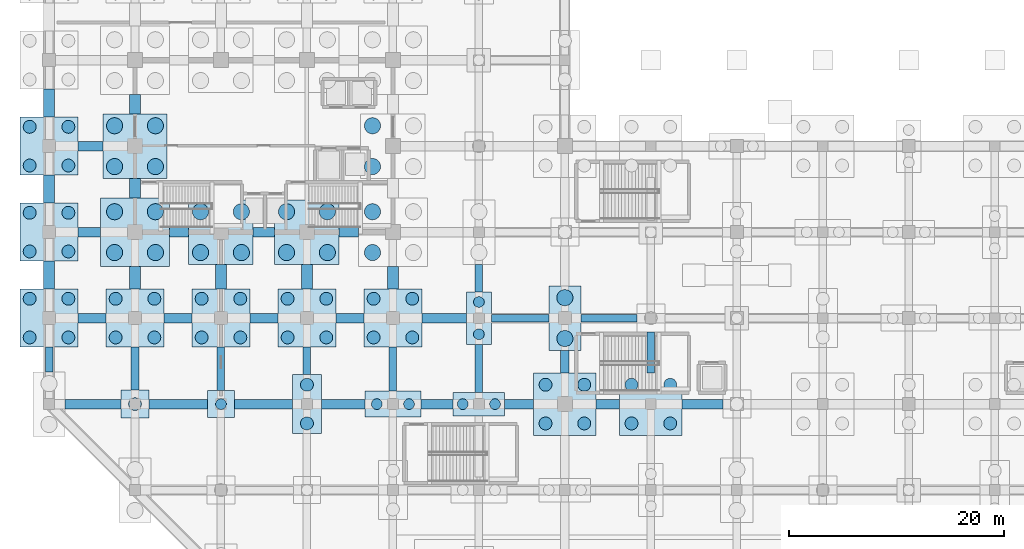
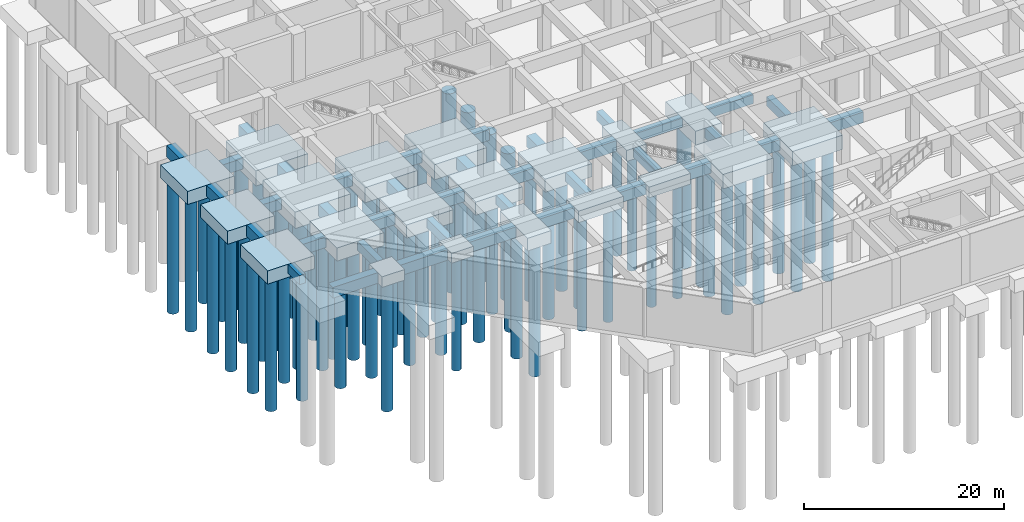
# One storey, part 2 of 26: 68 piles, 58 footings.
"""IFC4 building model written with IfcOpenShell, lengths in metres."""

from ifc_helpers import new_model, si_unit, direction, frame, origin, origin_2d, place, context, subcontext, project, spatial, rectangle, circle, extrude, material, material_profile, profile_set, type_object, element, save


model = new_model("IFC4")

# Units and contexts
model_context = context("Model", 3, precision=1e-05, world=origin(), true_north=direction((0.0, 1.0)))
body_context = subcontext(model_context, "Body", "Model", "MODEL_VIEW")
ifc_project = project(units=[si_unit("LENGTHUNIT", "METRE"), si_unit("AREAUNIT", "SQUARE_METRE"), si_unit("VOLUMEUNIT", "CUBIC_METRE"), si_unit("PLANEANGLEUNIT", "RADIAN"), si_unit("MASSUNIT", "GRAM", prefix="KILO")], contexts=[model_context])

# Site, building, storey
site_placement = place(None, origin())
site = spatial("IfcSite", under=ifc_project, at=site_placement, CompositionType="ELEMENT")
building_placement = place(site_placement, origin())
building = spatial("IfcBuilding", under=site, at=building_placement, Name="Varnela Railside Interchange", CompositionType="ELEMENT")
storey_placement = place(building_placement, frame((0.0, 0.0, -12.60009765625)))
storey = spatial("IfcBuildingStorey", under=building, at=storey_placement, Name="B2", CompositionType="ELEMENT", Elevation=-12.60009765625)

# Piles
ifc_material_1 = material(Name="Concrete C40", Category="concrete")
ifc_material_profile_1 = material_profile(ifc_material_1, circle(Radius=0.5, at=origin_2d()), Name="BORED PILE D1000")
ifc_profile_set_1 = profile_set([ifc_material_profile_1], Name="Concrete C40")
pile_type_1 = type_object("IfcPileType", Name="Bored Pile D1000 L14m", PredefinedType="BORED", material=ifc_profile_set_1)
for number, where, z_axis, x_axis, name in (
    (1, (20.0, 38.0, -2.0), (0.0, 0.0, -1.0), (1.0, 0.0, 0.0), "Bored Pile D1000 L14m"),
    (2, (34.5, 38.0, -2.199951171875), (0.0, 0.0, -1.0), (1.0, 0.0, 0.0), "Bored Pile D1000 L14m"),
    (3, (37.5, 38.0, -2.199951171875), (0.0, 0.0, -1.0), (1.0, 0.0, 0.0), "Bored Pile D1000 L14m"),
    (4, (42.5, 38.0, -2.099853515625), (0.0, 0.0, -1.0), (1.0, 0.0, 0.0), "Bored Pile D1000 L14m"),
    (5, (45.5, 38.0, -2.099853515625), (0.0, 0.0, -1.0), (1.0, 0.0, 0.0), "Bored Pile D1000 L14m"),
    (6, (44.0, 44.5, -2.14990234375), (0.0, 0.0, -1.0), (1.0, 0.0, 0.0), "Bored Pile D1000 L14m"),
    (7, (44.0, 47.5, -2.14990234375), (0.0, 0.0, -1.0), (1.0, 0.0, 0.0), "Bored Pile D1000 L14m"),
):
    element("IfcPile", number, at=place(storey_placement, frame(where, z_axis=z_axis, x_axis=x_axis)), inside=storey, type_object=pile_type_1, Name=name, PredefinedType="BORED", context=body_context, shape_type="SweptSolid", body=[
        extrude(circle(Radius=0.5, at=origin_2d()), origin(), (0.0, 0.0, 1.0), 14.0),
    ])
ifc_material_profile_2 = material_profile(ifc_material_1, circle(Radius=0.60009765625, at=origin_2d()), Name="BORED PILE D1200")
ifc_profile_set_2 = profile_set([ifc_material_profile_2], Name="Concrete C40")
pile_type_2 = type_object("IfcPileType", Name="Bored Pile D1200 L16m", PredefinedType="BORED", material=ifc_profile_set_2)
for number, where, z_axis, x_axis, name in (
    (8, (2.199951171875, 44.199951171875, -2.39990234375), (0.0, 0.0, -1.0), (1.0, 0.0, 0.0), "Bored Pile D1200 L16m"),
    (9, (5.800048828125, 44.199951171875, -2.39990234375), (0.0, 0.0, -1.0), (1.0, 0.0, 0.0), "Bored Pile D1200 L16m"),
    (10, (2.199951171875, 47.800048828125, -2.39990234375), (0.0, 0.0, -1.0), (1.0, 0.0, 0.0), "Bored Pile D1200 L16m"),
    (11, (5.800048828125, 47.800048828125, -2.39990234375), (0.0, 0.0, -1.0), (1.0, 0.0, 0.0), "Bored Pile D1200 L16m"),
    (12, (2.199951171875, 52.199951171875, -2.39990234375), (0.0, 0.0, -1.0), (1.0, 0.0, 0.0), "Bored Pile D1200 L16m"),
    (13, (5.800048828125, 52.199951171875, -2.39990234375), (0.0, 0.0, -1.0), (1.0, 0.0, 0.0), "Bored Pile D1200 L16m"),
    (14, (2.199951171875, 55.800048828125, -2.39990234375), (0.0, 0.0, -1.0), (1.0, 0.0, 0.0), "Bored Pile D1200 L16m"),
    (15, (5.800048828125, 55.800048828125, -2.39990234375), (0.0, 0.0, -1.0), (1.0, 0.0, 0.0), "Bored Pile D1200 L16m"),
    (16, (2.199951171875, 60.199951171875, -2.39990234375), (0.0, 0.0, -1.0), (1.0, 0.0, 0.0), "Bored Pile D1200 L16m"),
    (17, (5.800048828125, 60.199951171875, -2.39990234375), (0.0, 0.0, -1.0), (1.0, 0.0, 0.0), "Bored Pile D1200 L16m"),
    (18, (2.199951171875, 63.800048828125, -2.39990234375), (0.0, 0.0, -1.0), (1.0, 0.0, 0.0), "Bored Pile D1200 L16m"),
    (19, (5.800048828125, 63.800048828125, -2.39990234375), (0.0, 0.0, -1.0), (1.0, 0.0, 0.0), "Bored Pile D1200 L16m"),
    (20, (12.0, 38.0, -2.099853515625), (0.0, 0.0, -1.0), (1.0, 0.0, 0.0), "Bored Pile D1200 L16m"),
    (21, (10.199951171875, 44.199951171875, -2.39990234375), (0.0, 0.0, -1.0), (1.0, 0.0, 0.0), "Bored Pile D1200 L16m"),
    (22, (13.800048828125, 44.199951171875, -2.39990234375), (0.0, 0.0, -1.0), (1.0, 0.0, 0.0), "Bored Pile D1200 L16m"),
    (23, (10.199951171875, 47.800048828125, -2.39990234375), (0.0, 0.0, -1.0), (1.0, 0.0, 0.0), "Bored Pile D1200 L16m"),
    (24, (13.800048828125, 47.800048828125, -2.39990234375), (0.0, 0.0, -1.0), (1.0, 0.0, 0.0), "Bored Pile D1200 L16m"),
    (25, (18.199951171875, 44.199951171875, -2.39990234375), (0.0, 0.0, -1.0), (1.0, 0.0, 0.0), "Bored Pile D1200 L16m"),
    (26, (21.800048828125, 44.199951171875, -2.39990234375), (0.0, 0.0, -1.0), (1.0, 0.0, 0.0), "Bored Pile D1200 L16m"),
    (27, (18.199951171875, 47.800048828125, -2.39990234375), (0.0, 0.0, -1.0), (1.0, 0.0, 0.0), "Bored Pile D1200 L16m"),
    (28, (21.800048828125, 47.800048828125, -2.39990234375), (0.0, 0.0, -1.0), (1.0, 0.0, 0.0), "Bored Pile D1200 L16m"),
    (29, (28.0, 36.199951171875, -2.349853515625), (0.0, 0.0, -1.0), (1.0, 0.0, 0.0), "Bored Pile D1200 L16m"),
    (30, (28.0, 39.800048828125, -2.349853515625), (0.0, 0.0, -1.0), (1.0, 0.0, 0.0), "Bored Pile D1200 L16m"),
    (31, (26.199951171875, 44.199951171875, -2.39990234375), (0.0, 0.0, -1.0), (1.0, 0.0, 0.0), "Bored Pile D1200 L16m"),
    (32, (29.800048828125, 44.199951171875, -2.39990234375), (0.0, 0.0, -1.0), (1.0, 0.0, 0.0), "Bored Pile D1200 L16m"),
    (33, (26.199951171875, 47.800048828125, -2.39990234375), (0.0, 0.0, -1.0), (1.0, 0.0, 0.0), "Bored Pile D1200 L16m"),
    (34, (29.800048828125, 47.800048828125, -2.39990234375), (0.0, 0.0, -1.0), (1.0, 0.0, 0.0), "Bored Pile D1200 L16m"),
    (35, (34.199951171875, 44.199951171875, -2.39990234375), (0.0, 0.0, -1.0), (1.0, 0.0, 0.0), "Bored Pile D1200 L16m"),
    (36, (37.800048828125, 44.199951171875, -2.39990234375), (0.0, 0.0, -1.0), (1.0, 0.0, 0.0), "Bored Pile D1200 L16m"),
    (37, (34.199951171875, 47.800048828125, -2.39990234375), (0.0, 0.0, -1.0), (1.0, 0.0, 0.0), "Bored Pile D1200 L16m"),
    (38, (37.800048828125, 47.800048828125, -2.39990234375), (0.0, 0.0, -1.0), (1.0, 0.0, 0.0), "Bored Pile D1200 L16m"),
    (39, (50.199951171875, 36.199951171875, -2.5498046875), (0.0, 0.0, -1.0), (1.0, 0.0, 0.0), "Bored Pile D1200 L16m"),
    (40, (53.800048828125, 36.199951171875, -2.5498046875), (0.0, 0.0, -1.0), (1.0, 0.0, 0.0), "Bored Pile D1200 L16m"),
    (41, (50.199951171875, 39.800048828125, -2.5498046875), (0.0, 0.0, -1.0), (1.0, 0.0, 0.0), "Bored Pile D1200 L16m"),
    (42, (53.800048828125, 39.800048828125, -2.5498046875), (0.0, 0.0, -1.0), (1.0, 0.0, 0.0), "Bored Pile D1200 L16m"),
    (43, (58.199951171875, 36.199951171875, -2.5498046875), (0.0, 0.0, -1.0), (1.0, 0.0, 0.0), "Bored Pile D1200 L16m"),
    (44, (61.800048828125, 36.199951171875, -2.5498046875), (0.0, 0.0, -1.0), (1.0, 0.0, 0.0), "Bored Pile D1200 L16m"),
    (45, (58.199951171875, 39.800048828125, -2.5498046875), (0.0, 0.0, -1.0), (1.0, 0.0, 0.0), "Bored Pile D1200 L16m"),
    (46, (61.800048828125, 39.800048828125, -2.5498046875), (0.0, 0.0, -1.0), (1.0, 0.0, 0.0), "Bored Pile D1200 L16m"),
):
    element("IfcPile", number, at=place(storey_placement, frame(where, z_axis=z_axis, x_axis=x_axis)), inside=storey, type_object=pile_type_2, Name=name, PredefinedType="BORED", context=body_context, shape_type="SweptSolid", body=[
        extrude(circle(Radius=0.60009765625, at=origin_2d()), origin(), (0.0, 0.0, 1.0), 16.0),
    ])
ifc_material_profile_3 = material_profile(ifc_material_1, circle(Radius=0.75, at=origin_2d()), Name="BORED PILE D1500")
ifc_profile_set_3 = profile_set([ifc_material_profile_3], Name="Concrete C40")
pile_type_3 = type_object("IfcPileType", Name="Bored Pile D1500 L18m", PredefinedType="BORED", material=ifc_profile_set_3)
for number, where, z_axis, x_axis, name in (
    (47, (10.10009765625, 52.10009765625, -2.7998046875), (0.0, 0.0, -1.0), (1.0, 0.0, 0.0), "Bored Pile D1500 L18m"),
    (48, (13.89990234375, 52.10009765625, -2.7998046875), (0.0, 0.0, -1.0), (1.0, 0.0, 0.0), "Bored Pile D1500 L18m"),
    (49, (10.10009765625, 55.89990234375, -2.7998046875), (0.0, 0.0, -1.0), (1.0, 0.0, 0.0), "Bored Pile D1500 L18m"),
    (50, (13.89990234375, 55.89990234375, -2.7998046875), (0.0, 0.0, -1.0), (1.0, 0.0, 0.0), "Bored Pile D1500 L18m"),
    (51, (10.10009765625, 60.10009765625, -2.64990234375), (0.0, 0.0, -1.0), (1.0, 0.0, 0.0), "Bored Pile D1500 L18m"),
    (52, (13.89990234375, 60.10009765625, -2.64990234375), (0.0, 0.0, -1.0), (1.0, 0.0, 0.0), "Bored Pile D1500 L18m"),
    (53, (10.10009765625, 63.89990234375, -2.64990234375), (0.0, 0.0, -1.0), (1.0, 0.0, 0.0), "Bored Pile D1500 L18m"),
    (54, (13.89990234375, 63.89990234375, -2.64990234375), (0.0, 0.0, -1.0), (1.0, 0.0, 0.0), "Bored Pile D1500 L18m"),
    (55, (18.10009765625, 52.10009765625, -2.64990234375), (0.0, 0.0, -1.0), (1.0, 0.0, 0.0), "Bored Pile D1500 L18m"),
    (56, (21.89990234375, 52.10009765625, -2.64990234375), (0.0, 0.0, -1.0), (1.0, 0.0, 0.0), "Bored Pile D1500 L18m"),
    (57, (18.10009765625, 55.89990234375, -2.64990234375), (0.0, 0.0, -1.0), (1.0, 0.0, 0.0), "Bored Pile D1500 L18m"),
    (58, (21.89990234375, 55.89990234375, -2.64990234375), (0.0, 0.0, -1.0), (1.0, 0.0, 0.0), "Bored Pile D1500 L18m"),
    (59, (26.10009765625, 52.10009765625, -2.64990234375), (0.0, 0.0, -1.0), (1.0, 0.0, 0.0), "Bored Pile D1500 L18m"),
    (60, (29.89990234375, 52.10009765625, -2.64990234375), (0.0, 0.0, -1.0), (1.0, 0.0, 0.0), "Bored Pile D1500 L18m"),
    (61, (26.10009765625, 55.89990234375, -2.64990234375), (0.0, 0.0, -1.0), (1.0, 0.0, 0.0), "Bored Pile D1500 L18m"),
    (62, (29.89990234375, 55.89990234375, -2.64990234375), (0.0, 0.0, -1.0), (1.0, 0.0, 0.0), "Bored Pile D1500 L18m"),
    (63, (34.10009765625, 52.10009765625, -2.7998046875), (0.0, 0.0, -1.0), (1.0, 0.0, 0.0), "Bored Pile D1500 L18m"),
    (64, (34.10009765625, 55.89990234375, -2.7998046875), (0.0, 0.0, -1.0), (1.0, 0.0, 0.0), "Bored Pile D1500 L18m"),
    (65, (34.10009765625, 60.10009765625, -2.64990234375), (0.0, 0.0, -1.0), (1.0, 0.0, 0.0), "Bored Pile D1500 L18m"),
    (66, (34.10009765625, 63.89990234375, -2.64990234375), (0.0, 0.0, -1.0), (1.0, 0.0, 0.0), "Bored Pile D1500 L18m"),
    (67, (52.0, 44.10009765625, -2.5498046875), (0.0, 0.0, -1.0), (1.0, 0.0, 0.0), "Bored Pile D1500 L18m"),
    (68, (52.0, 47.89990234375, -2.5498046875), (0.0, 0.0, -1.0), (1.0, 0.0, 0.0), "Bored Pile D1500 L18m"),
):
    element("IfcPile", number, at=place(storey_placement, frame(where, z_axis=z_axis, x_axis=x_axis)), inside=storey, type_object=pile_type_3, Name=name, PredefinedType="BORED", context=body_context, shape_type="SweptSolid", body=[
        extrude(circle(Radius=0.75, at=origin_2d()), origin(), (0.0, 0.0, 1.0), 18.0),
    ])

# Footings
ifc_material_2 = material(Name="Concrete C50", Category="concrete")
footing_type_1 = type_object("IfcFootingType", Name="Four-Pile Box Cap PC-11", PredefinedType="PILE_CAP", material=ifc_material_2)
for number, where, z_axis, x_axis, name in (
    (69, (4.0, 46.0, -2.39990234375), (0.0, 0.0, 1.0), (1.0, 0.0, 0.0), "Four-Pile Box Cap PC-11 (FT-0105)"),
    (70, (4.0, 54.0, -2.39990234375), (0.0, 0.0, 1.0), (1.0, 0.0, 0.0), "Four-Pile Box Cap PC-11 (FT-0106)"),
    (71, (4.0, 62.0, -2.39990234375), (0.0, 0.0, 1.0), (1.0, 0.0, 0.0), "Four-Pile Box Cap PC-11 (FT-0107)"),
    (72, (12.0, 46.0, -2.39990234375), (0.0, 0.0, 1.0), (1.0, 0.0, 0.0), "Four-Pile Box Cap PC-11 (FT-0123)"),
    (73, (20.0, 46.0, -2.39990234375), (0.0, 0.0, 1.0), (1.0, 0.0, 0.0), "Four-Pile Box Cap PC-11 (FT-0133)"),
    (74, (28.0, 46.0, -2.39990234375), (0.0, 0.0, 1.0), (1.0, 0.0, 0.0), "Four-Pile Box Cap PC-11 (FT-0143)"),
    (75, (36.0, 46.0, -2.39990234375), (0.0, 0.0, 1.0), (1.0, 0.0, 0.0), "Four-Pile Box Cap PC-11 (FT-0154)"),
):
    element("IfcFooting", number, at=place(storey_placement, frame(where, z_axis=z_axis, x_axis=x_axis)), inside=storey, type_object=footing_type_1, Name=name, PredefinedType="PILE_CAP", context=body_context, shape_type="SweptSolid", body=[
        extrude(rectangle(XDim=5.39990234375, YDim=5.39990234375, at=origin_2d()), origin(), (0.0, 0.0, 1.0), 1.60009765625),
    ])
footing_type_2 = type_object("IfcFootingType", Name="Four-Pile Core Cap PC-15", PredefinedType="PILE_CAP", material=ifc_material_2)
for number, where, z_axis, x_axis, name in (
    (76, (12.0, 62.0, -2.64990234375), (0.0, 0.0, 1.0), (1.0, 0.0, 0.0), "Four-Pile Core Cap PC-15 (FT-0125)"),
    (77, (20.0, 54.0, -2.64990234375), (0.0, 0.0, 1.0), (1.0, 0.0, 0.0), "Four-Pile Core Cap PC-15 (FT-0134)"),
    (78, (28.0, 54.0, -2.64990234375), (0.0, 0.0, 1.0), (1.0, 0.0, 0.0), "Four-Pile Core Cap PC-15 (FT-0144)"),
):
    element("IfcFooting", number, at=place(storey_placement, frame(where, z_axis=z_axis, x_axis=x_axis)), inside=storey, type_object=footing_type_2, Name=name, PredefinedType="PILE_CAP", context=body_context, shape_type="SweptSolid", body=[
        extrude(rectangle(XDim=6.0, YDim=6.0, at=origin_2d()), origin(), (0.0, 0.0, 1.0), 1.85009765625),
    ])
footing_type_3 = type_object("IfcFootingType", Name="Four-Pile Mega Cap PC-16", PredefinedType="PILE_CAP", material=ifc_material_2)
footing_1_placement = place(storey_placement, frame((12.0, 54.0, -2.7998046875), z_axis=(0.0, 0.0, 1.0), x_axis=(1.0, 0.0, 0.0)))
element("IfcFooting", 79, at=footing_1_placement, inside=storey, type_object=footing_type_3, Name="Four-Pile Mega Cap PC-16 (FT-0124)", PredefinedType="PILE_CAP", context=body_context, shape_type="SweptSolid", body=[
    extrude(rectangle(XDim=6.39990234375, YDim=6.39990234375, at=origin_2d()), origin(), (0.0, 0.0, 1.0), 2.0),
])
footing_type_4 = type_object("IfcFootingType", Name="Four-Pile Transfer PC-12", PredefinedType="PILE_CAP", material=ifc_material_2)
for number, where, z_axis, x_axis, name in (
    (80, (52.0, 38.0, -2.5498046875), (0.0, 0.0, 1.0), (1.0, 0.0, 0.0), "Four-Pile Transfer PC-12 (FT-0177)"),
    (81, (60.0, 38.0, -2.5498046875), (0.0, 0.0, 1.0), (1.0, 0.0, 0.0), "Four-Pile Transfer PC-12 (FT-0189)"),
):
    element("IfcFooting", number, at=place(storey_placement, frame(where, z_axis=z_axis, x_axis=x_axis)), inside=storey, type_object=footing_type_4, Name=name, PredefinedType="PILE_CAP", context=body_context, shape_type="SweptSolid", body=[
        extrude(rectangle(XDim=5.800048828125, YDim=5.800048828125, at=origin_2d()), origin(), (0.0, 0.0, 1.0), 1.75),
    ])
footing_type_5 = type_object("IfcFootingType", Name="Ground Tie Beam GB-01", PredefinedType="FOOTING_BEAM", material=ifc_material_2)
footing_2_placement = place(storey_placement, frame((4.0, 42.14990234375, -1.89990234375), z_axis=(0.0, 0.0, 1.0), x_axis=(1.0, 0.0, 0.0)))
element("IfcFooting", 82, at=footing_2_placement, inside=storey, type_object=footing_type_5, Name="Ground Tie Beam GB-01 (FT-0465)", PredefinedType="FOOTING_BEAM", context=body_context, shape_type="SweptSolid", body=[
    extrude(rectangle(XDim=0.699951171875, YDim=2.300048828125, at=origin_2d()), origin(), (0.0, 0.0, 1.0), 1.10009765625),
])
footing_3_placement = place(storey_placement, frame((12.0, 41.300048828125, -1.89990234375), z_axis=(0.0, 0.0, 1.0), x_axis=(1.0, 0.0, 0.0)))
element("IfcFooting", 83, at=footing_3_placement, inside=storey, type_object=footing_type_5, Name="Ground Tie Beam GB-01 (FT-0480)", PredefinedType="FOOTING_BEAM", context=body_context, shape_type="SweptSolid", body=[
    extrude(rectangle(XDim=0.699951171875, YDim=4.0, at=origin_2d()), origin(), (0.0, 0.0, 1.0), 1.10009765625),
])
footing_4_placement = place(storey_placement, frame((20.0, 41.27490234375, -1.89990234375), z_axis=(0.0, 0.0, 1.0), x_axis=(1.0, 0.0, 0.0)))
element("IfcFooting", 84, at=footing_4_placement, inside=storey, type_object=footing_type_5, Name="Ground Tie Beam GB-01 (FT-0489)", PredefinedType="FOOTING_BEAM", context=body_context, shape_type="SweptSolid", body=[
    extrude(rectangle(XDim=0.699951171875, YDim=4.050048828125, at=origin_2d()), origin(), (0.0, 0.0, 1.0), 1.10009765625),
])
footing_5_placement = place(storey_placement, frame((28.0, 42.02490234375, -1.89990234375), z_axis=(0.0, 0.0, 1.0), x_axis=(1.0, 0.0, 0.0)))
element("IfcFooting", 85, at=footing_5_placement, inside=storey, type_object=footing_type_5, Name="Ground Tie Beam GB-01 (FT-0497)", PredefinedType="FOOTING_BEAM", context=body_context, shape_type="SweptSolid", body=[
    extrude(rectangle(XDim=0.699951171875, YDim=2.550048828125, at=origin_2d()), origin(), (0.0, 0.0, 1.0), 1.10009765625),
])
footing_6_placement = place(storey_placement, frame((36.0, 41.25, -1.89990234375), z_axis=(0.0, 0.0, 1.0), x_axis=(1.0, 0.0, 0.0)))
element("IfcFooting", 86, at=footing_6_placement, inside=storey, type_object=footing_type_5, Name="Ground Tie Beam GB-01 (FT-0506)", PredefinedType="FOOTING_BEAM", context=body_context, shape_type="SweptSolid", body=[
    extrude(rectangle(XDim=0.699951171875, YDim=4.10009765625, at=origin_2d()), origin(), (0.0, 0.0, 1.0), 1.10009765625),
])
footing_7_placement = place(storey_placement, frame((44.0, 41.324951171875, -1.89990234375), z_axis=(0.0, 0.0, 1.0), x_axis=(1.0, 0.0, 0.0)))
element("IfcFooting", 87, at=footing_7_placement, inside=storey, type_object=footing_type_5, Name="Ground Tie Beam GB-01 (FT-0517)", PredefinedType="FOOTING_BEAM", context=body_context, shape_type="SweptSolid", body=[
    extrude(rectangle(XDim=0.699951171875, YDim=4.449951171875, at=origin_2d()), origin(), (0.0, 0.0, 1.0), 1.10009765625),
])
footing_8_placement = place(storey_placement, frame((44.0, 49.72509765625, -1.89990234375), z_axis=(0.0, 0.0, 1.0), x_axis=(1.0, 0.0, 0.0)))
element("IfcFooting", 88, at=footing_8_placement, inside=storey, type_object=footing_type_5, Name="Ground Tie Beam GB-01 (FT-0518)", PredefinedType="FOOTING_BEAM", context=body_context, shape_type="SweptSolid", body=[
    extrude(rectangle(XDim=0.699951171875, YDim=2.550048828125, at=origin_2d()), origin(), (0.0, 0.0, 1.0), 1.10009765625),
])
footing_9_placement = place(storey_placement, frame((60.0, 42.800048828125, -1.89990234375), z_axis=(0.0, 0.0, 1.0), x_axis=(1.0, 0.0, 0.0)))
element("IfcFooting", 89, at=footing_9_placement, inside=storey, type_object=footing_type_5, Name="Ground Tie Beam GB-01 (FT-0538)", PredefinedType="FOOTING_BEAM", context=body_context, shape_type="SweptSolid", body=[
    extrude(rectangle(XDim=0.699951171875, YDim=3.800048828125, at=origin_2d()), origin(), (0.0, 0.0, 1.0), 1.10009765625),
])
footing_10_placement = place(storey_placement, frame((47.824951171875, 46.0, -1.89990234375), z_axis=(0.0, 0.0, 1.0), x_axis=(1.0, 0.0, 0.0)))
element("IfcFooting", 90, at=footing_10_placement, inside=storey, type_object=footing_type_5, Name="Ground Tie Beam GB-01 (FT-0303)", PredefinedType="FOOTING_BEAM", context=body_context, shape_type="SweptSolid", body=[
    extrude(rectangle(XDim=5.35009765625, YDim=0.699951171875, at=origin_2d()), origin(), (0.0, 0.0, 1.0), 1.10009765625),
])
footing_11_placement = place(storey_placement, frame((56.10009765625, 46.0, -1.89990234375), z_axis=(0.0, 0.0, 1.0), x_axis=(1.0, 0.0, 0.0)))
element("IfcFooting", 91, at=footing_11_placement, inside=storey, type_object=footing_type_5, Name="Ground Tie Beam GB-01 (FT-0304)", PredefinedType="FOOTING_BEAM", context=body_context, shape_type="SweptSolid", body=[
    extrude(rectangle(XDim=5.199951171875, YDim=0.699951171875, at=origin_2d()), origin(), (0.0, 0.0, 1.0), 1.10009765625),
])
footing_type_6 = type_object("IfcFootingType", Name="Ground Tie Beam GB-02", PredefinedType="FOOTING_BEAM", material=ifc_material_2)
footing_12_placement = place(storey_placement, frame((52.0, 41.949951171875, -2.0), z_axis=(0.0, 0.0, 1.0), x_axis=(1.0, 0.0, 0.0)))
element("IfcFooting", 92, at=footing_12_placement, inside=storey, type_object=footing_type_6, Name="Ground Tie Beam GB-02 (FT-0528)", PredefinedType="FOOTING_BEAM", context=body_context, shape_type="SweptSolid", body=[
    extrude(rectangle(XDim=0.800048828125, YDim=2.10009765625, at=origin_2d()), origin(), (0.0, 0.0, 1.0), 1.199951171875),
])
footing_type_7 = type_object("IfcFootingType", Name="Ground Tie Beam GB-03", PredefinedType="FOOTING_BEAM", material=ifc_material_2)
footing_13_placement = place(storey_placement, frame((8.10009765625, 38.0, -2.10009765625), z_axis=(0.0, 0.0, 1.0), x_axis=(1.0, 0.0, 0.0)))
element("IfcFooting", 93, at=footing_13_placement, inside=storey, type_object=footing_type_7, Name="Ground Tie Beam GB-03 (FT-0268)", PredefinedType="FOOTING_BEAM", context=body_context, shape_type="SweptSolid", body=[
    extrude(rectangle(XDim=5.199951171875, YDim=0.89990234375, at=origin_2d()), origin(), (0.0, 0.0, 1.0), 1.300048828125),
])
footing_14_placement = place(storey_placement, frame((16.02490234375, 38.0, -2.10009765625), z_axis=(0.0, 0.0, 1.0), x_axis=(1.0, 0.0, 0.0)))
element("IfcFooting", 94, at=footing_14_placement, inside=storey, type_object=footing_type_7, Name="Ground Tie Beam GB-03 (FT-0269)", PredefinedType="FOOTING_BEAM", context=body_context, shape_type="SweptSolid", body=[
    extrude(rectangle(XDim=5.449951171875, YDim=0.89990234375, at=origin_2d()), origin(), (0.0, 0.0, 1.0), 1.300048828125),
])
footing_15_placement = place(storey_placement, frame((23.949951171875, 38.0, -2.10009765625), z_axis=(0.0, 0.0, 1.0), x_axis=(1.0, 0.0, 0.0)))
element("IfcFooting", 95, at=footing_15_placement, inside=storey, type_object=footing_type_7, Name="Ground Tie Beam GB-03 (FT-0280)", PredefinedType="FOOTING_BEAM", context=body_context, shape_type="SweptSolid", body=[
    extrude(rectangle(XDim=5.39990234375, YDim=0.89990234375, at=origin_2d()), origin(), (0.0, 0.0, 1.0), 1.300048828125),
])
footing_16_placement = place(storey_placement, frame((31.375, 38.0, -2.10009765625), z_axis=(0.0, 0.0, 1.0), x_axis=(1.0, 0.0, 0.0)))
element("IfcFooting", 96, at=footing_16_placement, inside=storey, type_object=footing_type_7, Name="Ground Tie Beam GB-03 (FT-0281)", PredefinedType="FOOTING_BEAM", context=body_context, shape_type="SweptSolid", body=[
    extrude(rectangle(XDim=4.050048828125, YDim=0.89990234375, at=origin_2d()), origin(), (0.0, 0.0, 1.0), 1.300048828125),
])
footing_17_placement = place(storey_placement, frame((40.10009765625, 38.0, -2.10009765625), z_axis=(0.0, 0.0, 1.0), x_axis=(1.0, 0.0, 0.0)))
element("IfcFooting", 97, at=footing_17_placement, inside=storey, type_object=footing_type_7, Name="Ground Tie Beam GB-03 (FT-0282)", PredefinedType="FOOTING_BEAM", context=body_context, shape_type="SweptSolid", body=[
    extrude(rectangle(XDim=3.0, YDim=0.89990234375, at=origin_2d()), origin(), (0.0, 0.0, 1.0), 1.300048828125),
])
footing_18_placement = place(storey_placement, frame((47.75, 38.0, -2.10009765625), z_axis=(0.0, 0.0, 1.0), x_axis=(1.0, 0.0, 0.0)))
element("IfcFooting", 98, at=footing_18_placement, inside=storey, type_object=footing_type_7, Name="Ground Tie Beam GB-03 (FT-0283)", PredefinedType="FOOTING_BEAM", context=body_context, shape_type="SweptSolid", body=[
    extrude(rectangle(XDim=2.699951171875, YDim=0.89990234375, at=origin_2d()), origin(), (0.0, 0.0, 1.0), 1.300048828125),
])
footing_19_placement = place(storey_placement, frame((56.0, 38.0, -2.10009765625), z_axis=(0.0, 0.0, 1.0), x_axis=(1.0, 0.0, 0.0)))
element("IfcFooting", 99, at=footing_19_placement, inside=storey, type_object=footing_type_7, Name="Ground Tie Beam GB-03 (FT-0284)", PredefinedType="FOOTING_BEAM", context=body_context, shape_type="SweptSolid", body=[
    extrude(rectangle(XDim=2.199951171875, YDim=0.89990234375, at=origin_2d()), origin(), (0.0, 0.0, 1.0), 1.300048828125),
])
footing_20_placement = place(storey_placement, frame((64.800048828125, 38.0, -2.10009765625), z_axis=(0.0, 0.0, 1.0), x_axis=(1.0, 0.0, 0.0)))
element("IfcFooting", 100, at=footing_20_placement, inside=storey, type_object=footing_type_7, Name="Ground Tie Beam GB-03 (FT-0285)", PredefinedType="FOOTING_BEAM", context=body_context, shape_type="SweptSolid", body=[
    extrude(rectangle(XDim=3.800048828125, YDim=0.89990234375, at=origin_2d()), origin(), (0.0, 0.0, 1.0), 1.300048828125),
])
for number, where, z_axis, x_axis, name in (
    (101, (8.0, 46.0, -2.10009765625), (0.0, 0.0, 1.0), (1.0, 0.0, 0.0), "Ground Tie Beam GB-03 (FT-0288)"),
    (102, (16.0, 46.0, -2.10009765625), (0.0, 0.0, 1.0), (1.0, 0.0, 0.0), "Ground Tie Beam GB-03 (FT-0289)"),
    (103, (24.0, 46.0, -2.10009765625), (0.0, 0.0, 1.0), (1.0, 0.0, 0.0), "Ground Tie Beam GB-03 (FT-0300)"),
    (104, (32.0, 46.0, -2.10009765625), (0.0, 0.0, 1.0), (1.0, 0.0, 0.0), "Ground Tie Beam GB-03 (FT-0301)"),
):
    element("IfcFooting", number, at=place(storey_placement, frame(where, z_axis=z_axis, x_axis=x_axis)), inside=storey, type_object=footing_type_7, Name=name, PredefinedType="FOOTING_BEAM", context=body_context, shape_type="SweptSolid", body=[
        extrude(rectangle(XDim=2.60009765625, YDim=0.89990234375, at=origin_2d()), origin(), (0.0, 0.0, 1.0), 1.300048828125),
    ])
footing_21_placement = place(storey_placement, frame((40.77490234375, 46.0, -2.10009765625), z_axis=(0.0, 0.0, 1.0), x_axis=(1.0, 0.0, 0.0)))
element("IfcFooting", 105, at=footing_21_placement, inside=storey, type_object=footing_type_7, Name="Ground Tie Beam GB-03 (FT-0302)", PredefinedType="FOOTING_BEAM", context=body_context, shape_type="SweptSolid", body=[
    extrude(rectangle(XDim=4.14990234375, YDim=0.89990234375, at=origin_2d()), origin(), (0.0, 0.0, 1.0), 1.300048828125),
])
footing_22_placement = place(storey_placement, frame((7.75, 54.0, -2.10009765625), z_axis=(0.0, 0.0, 1.0), x_axis=(1.0, 0.0, 0.0)))
element("IfcFooting", 106, at=footing_22_placement, inside=storey, type_object=footing_type_7, Name="Ground Tie Beam GB-03 (FT-0308)", PredefinedType="FOOTING_BEAM", context=body_context, shape_type="SweptSolid", body=[
    extrude(rectangle(XDim=2.10009765625, YDim=0.89990234375, at=origin_2d()), origin(), (0.0, 0.0, 1.0), 1.300048828125),
])
footing_23_placement = place(storey_placement, frame((16.10009765625, 54.0, -2.10009765625), z_axis=(0.0, 0.0, 1.0), x_axis=(1.0, 0.0, 0.0)))
element("IfcFooting", 107, at=footing_23_placement, inside=storey, type_object=footing_type_7, Name="Ground Tie Beam GB-03 (FT-0309)", PredefinedType="FOOTING_BEAM", context=body_context, shape_type="SweptSolid", body=[
    extrude(rectangle(XDim=1.800048828125, YDim=0.89990234375, at=origin_2d()), origin(), (0.0, 0.0, 1.0), 1.300048828125),
])
footing_24_placement = place(storey_placement, frame((24.0, 54.0, -2.10009765625), z_axis=(0.0, 0.0, 1.0), x_axis=(1.0, 0.0, 0.0)))
element("IfcFooting", 108, at=footing_24_placement, inside=storey, type_object=footing_type_7, Name="Ground Tie Beam GB-03 (FT-0320)", PredefinedType="FOOTING_BEAM", context=body_context, shape_type="SweptSolid", body=[
    extrude(rectangle(XDim=2.0, YDim=0.89990234375, at=origin_2d()), origin(), (0.0, 0.0, 1.0), 1.300048828125),
])
footing_25_placement = place(storey_placement, frame((31.89990234375, 54.0, -2.10009765625), z_axis=(0.0, 0.0, 1.0), x_axis=(1.0, 0.0, 0.0)))
element("IfcFooting", 109, at=footing_25_placement, inside=storey, type_object=footing_type_7, Name="Ground Tie Beam GB-03 (FT-0321)", PredefinedType="FOOTING_BEAM", context=body_context, shape_type="SweptSolid", body=[
    extrude(rectangle(XDim=1.800048828125, YDim=0.89990234375, at=origin_2d()), origin(), (0.0, 0.0, 1.0), 1.300048828125),
])
footing_26_placement = place(storey_placement, frame((7.85009765625, 62.0, -2.10009765625), z_axis=(0.0, 0.0, 1.0), x_axis=(1.0, 0.0, 0.0)))
element("IfcFooting", 110, at=footing_26_placement, inside=storey, type_object=footing_type_7, Name="Ground Tie Beam GB-03 (FT-0328)", PredefinedType="FOOTING_BEAM", context=body_context, shape_type="SweptSolid", body=[
    extrude(rectangle(XDim=2.300048828125, YDim=0.89990234375, at=origin_2d()), origin(), (0.0, 0.0, 1.0), 1.300048828125),
])
footing_type_8 = type_object("IfcFootingType", Name="Ground Tie Beam GB-04", PredefinedType="FOOTING_BEAM", material=ifc_material_2)
for number, where, z_axis, x_axis, name in (
    (111, (4.0, 50.0, -2.199951171875), (0.0, 0.0, 1.0), (1.0, 0.0, 0.0), "Ground Tie Beam GB-04 (FT-0466)"),
    (112, (4.0, 58.0, -2.199951171875), (0.0, 0.0, 1.0), (1.0, 0.0, 0.0), "Ground Tie Beam GB-04 (FT-0467)"),
    (113, (4.0, 66.0, -2.199951171875), (0.0, 0.0, 1.0), (1.0, 0.0, 0.0), "Ground Tie Beam GB-04 (FT-0468)"),
):
    element("IfcFooting", number, at=place(storey_placement, frame(where, z_axis=z_axis, x_axis=x_axis)), inside=storey, type_object=footing_type_8, Name=name, PredefinedType="FOOTING_BEAM", context=body_context, shape_type="SweptSolid", body=[
        extrude(rectangle(XDim=1.0, YDim=2.60009765625, at=origin_2d()), origin(), (0.0, 0.0, 1.0), 1.39990234375),
    ])
footing_27_placement = place(storey_placement, frame((12.0, 49.75, -2.199951171875), z_axis=(0.0, 0.0, 1.0), x_axis=(1.0, 0.0, 0.0)))
element("IfcFooting", 114, at=footing_27_placement, inside=storey, type_object=footing_type_8, Name="Ground Tie Beam GB-04 (FT-0481)", PredefinedType="FOOTING_BEAM", context=body_context, shape_type="SweptSolid", body=[
    extrude(rectangle(XDim=1.0, YDim=2.10009765625, at=origin_2d()), origin(), (0.0, 0.0, 1.0), 1.39990234375),
])
for number, where, z_axis, x_axis, name in (
    (115, (12.0, 58.10009765625, -2.199951171875), (0.0, 0.0, 1.0), (1.0, 0.0, 0.0), "Ground Tie Beam GB-04 (FT-0482)"),
    (116, (12.0, 65.89990234375, -2.199951171875), (0.0, 0.0, 1.0), (1.0, 0.0, 0.0), "Ground Tie Beam GB-04 (FT-0483)"),
):
    element("IfcFooting", number, at=place(storey_placement, frame(where, z_axis=z_axis, x_axis=x_axis)), inside=storey, type_object=footing_type_8, Name=name, PredefinedType="FOOTING_BEAM", context=body_context, shape_type="SweptSolid", body=[
        extrude(rectangle(XDim=1.0, YDim=1.800048828125, at=origin_2d()), origin(), (0.0, 0.0, 1.0), 1.39990234375),
    ])
for number, where, z_axis, x_axis, name in (
    (117, (20.0, 49.85009765625, -2.199951171875), (0.0, 0.0, 1.0), (1.0, 0.0, 0.0), "Ground Tie Beam GB-04 (FT-0490)"),
    (118, (28.0, 49.85009765625, -2.199951171875), (0.0, 0.0, 1.0), (1.0, 0.0, 0.0), "Ground Tie Beam GB-04 (FT-0498)"),
):
    element("IfcFooting", number, at=place(storey_placement, frame(where, z_axis=z_axis, x_axis=x_axis)), inside=storey, type_object=footing_type_8, Name=name, PredefinedType="FOOTING_BEAM", context=body_context, shape_type="SweptSolid", body=[
        extrude(rectangle(XDim=1.0, YDim=2.300048828125, at=origin_2d()), origin(), (0.0, 0.0, 1.0), 1.39990234375),
    ])
footing_28_placement = place(storey_placement, frame((36.0, 49.75, -2.199951171875), z_axis=(0.0, 0.0, 1.0), x_axis=(1.0, 0.0, 0.0)))
element("IfcFooting", 119, at=footing_28_placement, inside=storey, type_object=footing_type_8, Name="Ground Tie Beam GB-04 (FT-0507)", PredefinedType="FOOTING_BEAM", context=body_context, shape_type="SweptSolid", body=[
    extrude(rectangle(XDim=1.0, YDim=2.10009765625, at=origin_2d()), origin(), (0.0, 0.0, 1.0), 1.39990234375),
])
footing_type_9 = type_object("IfcFootingType", Name="Single Large Pile Cap PC-07", PredefinedType="PILE_CAP", material=ifc_material_2)
footing_29_placement = place(storey_placement, frame((12.0, 38.0, -2.10009765625), z_axis=(0.0, 0.0, 1.0), x_axis=(1.0, 0.0, 0.0)))
element("IfcFooting", 120, at=footing_29_placement, inside=storey, type_object=footing_type_9, Name="Single Large Pile Cap PC-07 (FT-0122)", PredefinedType="PILE_CAP", context=body_context, shape_type="SweptSolid", body=[
    extrude(rectangle(XDim=2.60009765625, YDim=2.60009765625, at=origin_2d()), origin(), (0.0, 0.0, 1.0), 1.300048828125),
])
footing_type_10 = type_object("IfcFootingType", Name="Single Pile Cap PC-02", PredefinedType="PILE_CAP", material=ifc_material_2)
footing_30_placement = place(storey_placement, frame((20.0, 38.0, -2.0), z_axis=(0.0, 0.0, 1.0), x_axis=(1.0, 0.0, 0.0)))
element("IfcFooting", 121, at=footing_30_placement, inside=storey, type_object=footing_type_10, Name="Single Pile Cap PC-02 (FT-0132)", PredefinedType="PILE_CAP", context=body_context, shape_type="SweptSolid", body=[
    extrude(rectangle(XDim=2.5, YDim=2.5, at=origin_2d()), origin(), (0.0, 0.0, 1.0), 1.199951171875),
])
footing_type_11 = type_object("IfcFootingType", Name="Two-Pile Cap Heavy PC-05", PredefinedType="PILE_CAP", material=ifc_material_2)
footing_31_placement = place(storey_placement, frame((36.0, 38.0, -2.199951171875), z_axis=(0.0, 0.0, 1.0), x_axis=(1.0, 0.0, 0.0)))
element("IfcFooting", 122, at=footing_31_placement, inside=storey, type_object=footing_type_11, Name="Two-Pile Cap Heavy PC-05 (FT-0153)", PredefinedType="PILE_CAP", context=body_context, shape_type="SweptSolid", body=[
    extrude(rectangle(XDim=5.199951171875, YDim=2.39990234375, at=origin_2d()), origin(), (0.0, 0.0, 1.0), 1.39990234375),
])
footing_type_12 = type_object("IfcFootingType", Name="Two-Pile Cap X PC-03", PredefinedType="PILE_CAP", material=ifc_material_2)
footing_32_placement = place(storey_placement, frame((44.0, 38.0, -2.10009765625), z_axis=(0.0, 0.0, 1.0), x_axis=(1.0, 0.0, 0.0)))
element("IfcFooting", 123, at=footing_32_placement, inside=storey, type_object=footing_type_12, Name="Two-Pile Cap X PC-03 (FT-0165)", PredefinedType="PILE_CAP", context=body_context, shape_type="SweptSolid", body=[
    extrude(rectangle(XDim=4.800048828125, YDim=2.199951171875, at=origin_2d()), origin(), (0.0, 0.0, 1.0), 1.300048828125),
])
footing_type_13 = type_object("IfcFootingType", Name="Two-Pile Cap Y D1200 PC-09", PredefinedType="PILE_CAP", material=ifc_material_2)
footing_33_placement = place(storey_placement, frame((28.0, 38.0, -2.35009765625), z_axis=(0.0, 0.0, 1.0), x_axis=(1.0, 0.0, 0.0)))
element("IfcFooting", 124, at=footing_33_placement, inside=storey, type_object=footing_type_13, Name="Two-Pile Cap Y D1200 PC-09 (FT-0142)", PredefinedType="PILE_CAP", context=body_context, shape_type="SweptSolid", body=[
    extrude(rectangle(XDim=2.699951171875, YDim=5.5, at=origin_2d()), origin(), (0.0, 0.0, 1.0), 1.550048828125),
])
footing_type_14 = type_object("IfcFootingType", Name="Two-Pile Cap Y PC-04", PredefinedType="PILE_CAP", material=ifc_material_2)
footing_34_placement = place(storey_placement, frame((44.0, 46.0, -2.14990234375), z_axis=(0.0, 0.0, 1.0), x_axis=(1.0, 0.0, 0.0)))
element("IfcFooting", 125, at=footing_34_placement, inside=storey, type_object=footing_type_14, Name="Two-Pile Cap Y PC-04 (FT-0166)", PredefinedType="PILE_CAP", context=body_context, shape_type="SweptSolid", body=[
    extrude(rectangle(XDim=2.300048828125, YDim=4.89990234375, at=origin_2d()), origin(), (0.0, 0.0, 1.0), 1.35009765625),
])
footing_type_15 = type_object("IfcFootingType", Name="Two-Pile Heavy Cap Y PC-14", PredefinedType="PILE_CAP", material=ifc_material_2)
footing_35_placement = place(storey_placement, frame((52.0, 46.0, -2.5498046875), z_axis=(0.0, 0.0, 1.0), x_axis=(1.0, 0.0, 0.0)))
element("IfcFooting", 126, at=footing_35_placement, inside=storey, type_object=footing_type_15, Name="Two-Pile Heavy Cap Y PC-14 (FT-0178)", PredefinedType="PILE_CAP", context=body_context, shape_type="SweptSolid", body=[
    extrude(rectangle(XDim=3.0, YDim=6.0, at=origin_2d()), origin(), (0.0, 0.0, 1.0), 1.75),
])

save(model, "model.ifc")
